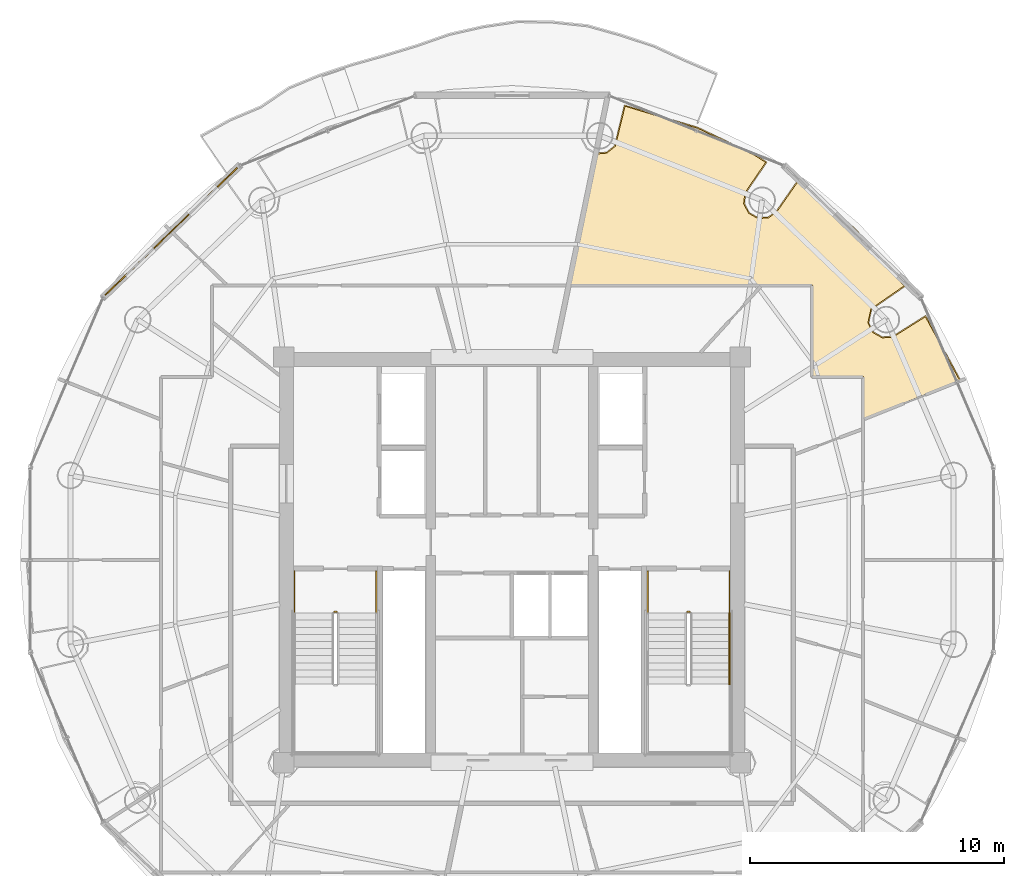
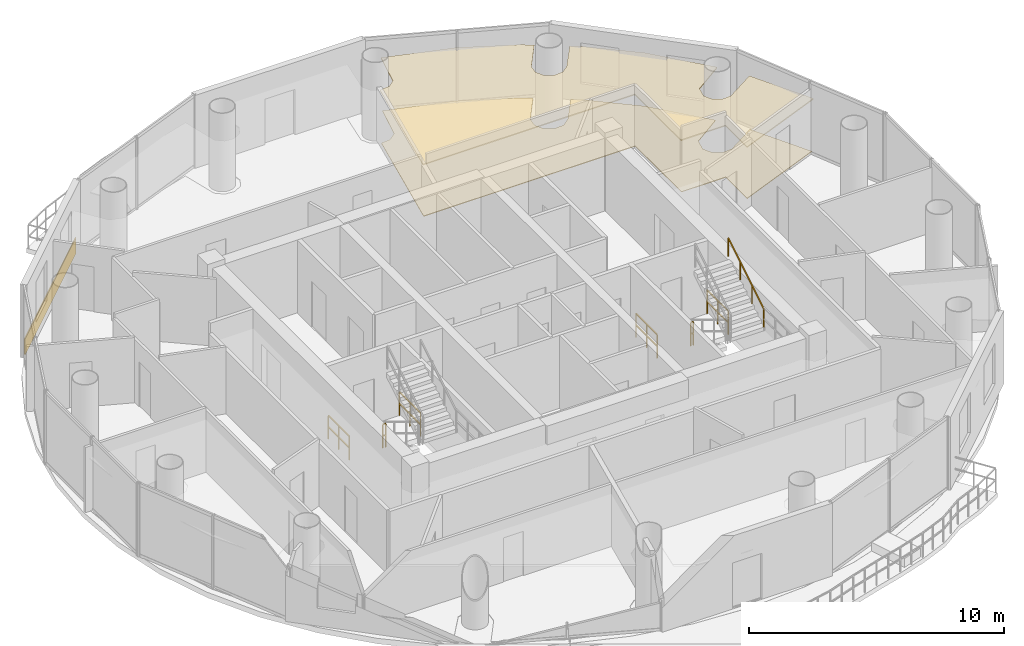
# One storey, part 20 of 21: 7 railings, 3 coverings.
"""IFC4 building model written with IfcOpenShell, lengths in metres."""

from ifc_helpers import new_model, si_unit, direction, frame, origin, origin_2d, place, context, subcontext, project, spatial, polyline, rectangle, outline, extrude, source, transform, mapped, material, layer, layer_set, type_object, element, save


model = new_model("IFC4")

# Units and contexts
model_context = context("Model", 3, precision=1e-05, world=origin(), true_north=direction((-0.2419218956, 0.970295726276)))
body_context = subcontext(model_context, "Body", "Model", "MODEL_VIEW")
ifc_project = project(units=[si_unit("LENGTHUNIT", "METRE"), si_unit("AREAUNIT", "SQUARE_METRE"), si_unit("VOLUMEUNIT", "CUBIC_METRE"), si_unit("PLANEANGLEUNIT", "RADIAN"), si_unit("MASSUNIT", "GRAM", prefix="KILO")], contexts=[model_context])

# Site, building, storey
site_placement = place(None, origin())
site = spatial("IfcSite", under=ifc_project, at=site_placement, CompositionType="ELEMENT")
building_placement = place(site_placement, origin())
building = spatial("IfcBuilding", under=site, at=building_placement, Name="Cobrevalo Terracotta Tower", CompositionType="ELEMENT")
storey_placement = place(building_placement, frame((0.0, 0.0, 285.699951171875)))
storey = spatial("IfcBuildingStorey", under=building, at=storey_placement, Name="L75", CompositionType="ELEMENT", Elevation=285.699951171875)

# Coverings
ifc_material_1 = material(Name="Engineered Brazilian hardwood flooring", Category="wood")
ifc_layer_1 = layer(ifc_material_1, 0.028076171875)
ifc_layer_set_1 = layer_set([ifc_layer_1], Name="Engineered Brazilian hardwood flooring")
covering_type_1 = type_object("IfcCoveringType", Name="Engineered Hardwood Suite Flooring 28", PredefinedType="FLOORING", material=ifc_layer_set_1)
covering_1_placement = place(storey_placement, origin())
element("IfcCovering", 1, at=covering_1_placement, inside=storey, type_object=covering_type_1, Name="Flat L75B Private Cinema Room floor finish", PredefinedType="FLOORING", context=body_context, shape_type="SweptSolid", body=[
    extrude(outline(polyline([(41.321533203125, 42.796630859375), (41.74072265625, 42.83642578125), (42.074951171875, 43.1064453125), (42.45947265625, 44.68603515625), (45.317138671875, 43.817626953125), (47.560302734375, 42.751953125), (47.99853515625, 42.4697265625), (47.18310546875, 41.2724609375), (47.1328125, 40.845703125), (47.328369140625, 40.463134765625), (47.703369140625, 40.25341796875), (48.1318359375, 40.28759765625), (48.46826171875, 40.55322265625), (49.243896484375, 41.668212890625), (49.639892578125, 41.413330078125), (51.52001953125, 39.82470703125), (53.4560546875, 37.599365234375), (52.15087890625, 36.69482421875), (52.0302734375, 36.1416015625), (52.2255859375, 35.7587890625), (52.600830078125, 35.54931640625), (53.029052734375, 35.58349609375), (54.300048828125, 36.382568359375), (55.65380859375, 33.8701171875), (51.85498046875, 32.353271484375), (51.85498046875, 34.030029296875), (49.844970703125, 34.030029296875), (49.844970703125, 37.64501953125), (40.25830078125, 37.64501953125), (41.321533203125, 42.796630859375)])), origin(), (0.0, 0.0, 1.0), 0.030029296875),
])
ifc_material_2 = material(Name="Acoustic perforated gypsum ceiling", Category="gypsum")
ifc_layer_2 = layer(ifc_material_2, 0.050048828125)
ifc_layer_set_2 = layer_set([ifc_layer_2], Name="Acoustic perforated gypsum ceiling")
covering_type_2 = type_object("IfcCoveringType", Name="Perforated Acoustic Gypsum Ceiling 50", PredefinedType="CEILING", material=ifc_layer_set_2)
covering_2_placement = place(storey_placement, frame((0.0, 0.0, 2.5)))
element("IfcCovering", 2, at=covering_2_placement, inside=storey, type_object=covering_type_2, Name="Flat L75B Private Cinema Room acoustic ceiling", PredefinedType="CEILING", context=body_context, shape_type="SweptSolid", body=[
    extrude(outline(polyline([(41.28564453125, 42.845703125), (41.7236328125, 42.87841796875), (42.03759765625, 43.1318359375), (42.424560546875, 44.738525390625), (45.333740234375, 43.859619140625), (47.582275390625, 42.79150390625), (48.062255859375, 42.482421875), (47.224365234375, 41.25439453125), (47.177490234375, 40.853759765625), (47.36083984375, 40.494384765625), (47.713134765625, 40.297607421875), (48.115234375, 40.32958984375), (48.4326171875, 40.580810546875), (49.231689453125, 41.7294921875), (49.66650390625, 41.449462890625), (51.551513671875, 39.857177734375), (53.51953125, 37.586669921875), (52.18798828125, 36.669189453125), (52.07470703125, 36.1494140625), (52.25830078125, 35.790283203125), (52.610595703125, 35.593505859375), (53.0126953125, 35.625732421875), (54.312255859375, 36.44384765625), (55.71630859375, 33.8466796875), (51.81005859375, 32.286865234375), (51.81005859375, 33.985107421875), (49.800048828125, 33.985107421875), (49.800048828125, 37.60009765625), (40.203125, 37.60009765625), (41.28564453125, 42.845703125)])), origin(), (0.0, 0.0, 1.0), 0.050048828125),
])

# Railings
ifc_material_3 = material(Name="Brushed stainless steel", Category="steel")
railing_type_1 = type_object("IfcRailingType", Name="Stainless Steel Stair Handrail 900", PredefinedType="HANDRAIL", material=ifc_material_3)
railing_1_placement = place(storey_placement, frame((46.574951171875, 21.89990234375, 2.04541015625)))
element("IfcRailing", 3, at=railing_1_placement, inside=storey, type_object=railing_type_1, Name="L75 ST-2 stair handrail 2", PredefinedType="HANDRAIL", context=body_context, shape_type="SweptSolid", body=[
    extrude(rectangle(XDim=0.048095703125, YDim=0.048095703125, at=origin_2d()), frame((0.0, 0.0, 0.8759765625), z_axis=(0.0, 0.854169791009, 0.51999420009), x_axis=(-1.0, 0.0, 0.0)), (0.0, 0.0, 1.0), 3.278076171875),
    extrude(rectangle(XDim=0.0419921875, YDim=0.0419921875, at=origin_2d()), origin(), (0.0, 0.0, 1.0), 0.851806640625),
    extrude(rectangle(XDim=0.0419921875, YDim=0.0419921875, at=origin_2d()), frame((0.0, 0.933349609375, 0.568115234375)), (0.0, 0.0, 1.0), 0.851806640625),
    extrude(rectangle(XDim=0.0419921875, YDim=0.0419921875, at=origin_2d()), frame((0.0, 1.86669921875, 1.136474609375)), (0.0, 0.0, 1.0), 0.851806640625),
    extrude(rectangle(XDim=0.0419921875, YDim=0.0419921875, at=origin_2d()), frame((0.0, 2.800048828125, 1.70458984375)), (0.0, 0.0, 1.0), 0.851806640625),
])
ifc_material_4 = material(Name="Painted galvanized steel", Category="steel")
railing_type_2 = type_object("IfcRailingType", Name="Stair Well Guard Balustrade 1150", PredefinedType="GUARDRAIL", material=ifc_material_4)
railing_2_placement = place(storey_placement, frame((30.97509765625, 24.75, 0.0)))
element("IfcRailing", 4, at=railing_2_placement, inside=storey, type_object=railing_type_2, Name="L75 ST-1 stair guard 7", PredefinedType="GUARDRAIL", context=body_context, shape_type="SweptSolid", body=[
    extrude(rectangle(XDim=0.048095703125, YDim=0.048095703125, at=origin_2d()), frame((0.0, 0.0, 1.1259765625), z_axis=(1.0, 0.0, 0.0), x_axis=(0.0, 1.0, 0.0)), (0.0, 0.0, 1.0), 0.119873046875),
    extrude(rectangle(XDim=0.048095703125, YDim=0.048095703125, at=origin_2d()), frame((0.0, 0.0, 0.574951171875), z_axis=(1.0, 0.0, 0.0), x_axis=(0.0, 1.0, 0.0)), (0.0, 0.0, 1.0), 0.119873046875),
    extrude(rectangle(XDim=0.0419921875, YDim=0.0419921875, at=origin_2d()), origin(), (0.0, 0.0, 1.0), 1.101806640625),
    extrude(rectangle(XDim=0.0419921875, YDim=0.0419921875, at=origin_2d()), frame((0.119873046875, 0.0, 0.0)), (0.0, 0.0, 1.0), 1.101806640625),
])
for number, where, name in (
    (5, (29.425048828125, 26.35009765625, 0.0), "L75 ST-1 stair guard 8"),
    (6, (32.64501953125, 26.35009765625, 0.0), "L75 ST-1 stair guard 9"),
):
    element("IfcRailing", number, at=place(storey_placement, frame(where)), inside=storey, type_object=railing_type_2, Name=name, PredefinedType="GUARDRAIL", context=body_context, shape_type="SweptSolid", body=[
        extrude(rectangle(XDim=0.048095703125, YDim=0.048095703125, at=origin_2d()), frame((0.0, 0.0, 1.1259765625), z_axis=(0.0, -1.0, 0.0), x_axis=(1.0, 0.0, 0.0)), (0.0, 0.0, 1.0), 1.650146484375),
        extrude(rectangle(XDim=0.048095703125, YDim=0.048095703125, at=origin_2d()), frame((0.0, 0.0, 0.574951171875), z_axis=(0.0, -1.0, 0.0), x_axis=(1.0, 0.0, 0.0)), (0.0, 0.0, 1.0), 1.650146484375),
        extrude(rectangle(XDim=0.0419921875, YDim=0.0419921875, at=origin_2d()), origin(), (0.0, 0.0, 1.0), 1.101806640625),
        extrude(rectangle(XDim=0.0419921875, YDim=0.0419921875, at=origin_2d()), frame((0.0, -0.8251953125, 0.0)), (0.0, 0.0, 1.0), 1.101806640625),
        extrude(rectangle(XDim=0.0419921875, YDim=0.0419921875, at=origin_2d()), frame((0.0, -1.650146484375, 0.0)), (0.0, 0.0, 1.0), 1.101806640625),
    ])
railing_3_placement = place(storey_placement, frame((44.905029296875, 24.75, 0.0)))
element("IfcRailing", 7, at=railing_3_placement, inside=storey, type_object=railing_type_2, Name="L75 ST-2 stair guard 7", PredefinedType="GUARDRAIL", context=body_context, shape_type="SweptSolid", body=[
    extrude(rectangle(XDim=0.048095703125, YDim=0.048095703125, at=origin_2d()), frame((0.0, 0.0, 1.1259765625), z_axis=(1.0, 0.0, 0.0), x_axis=(0.0, 1.0, 0.0)), (0.0, 0.0, 1.0), 0.119873046875),
    extrude(rectangle(XDim=0.048095703125, YDim=0.048095703125, at=origin_2d()), frame((0.0, 0.0, 0.574951171875), z_axis=(1.0, 0.0, 0.0), x_axis=(0.0, 1.0, 0.0)), (0.0, 0.0, 1.0), 0.119873046875),
    extrude(rectangle(XDim=0.0419921875, YDim=0.0419921875, at=origin_2d()), origin(), (0.0, 0.0, 1.0), 1.101806640625),
    extrude(rectangle(XDim=0.0419921875, YDim=0.0419921875, at=origin_2d()), frame((0.119873046875, 0.0, 0.0)), (0.0, 0.0, 1.0), 1.101806640625),
])
for number, where, name in (
    (8, (43.35498046875, 26.35009765625, 0.0), "L75 ST-2 stair guard 8"),
    (9, (46.574951171875, 26.35009765625, 0.0), "L75 ST-2 stair guard 9"),
):
    element("IfcRailing", number, at=place(storey_placement, frame(where)), inside=storey, type_object=railing_type_2, Name=name, PredefinedType="GUARDRAIL", context=body_context, shape_type="SweptSolid", body=[
        extrude(rectangle(XDim=0.048095703125, YDim=0.048095703125, at=origin_2d()), frame((0.0, 0.0, 1.1259765625), z_axis=(0.0, -1.0, 0.0), x_axis=(1.0, 0.0, 0.0)), (0.0, 0.0, 1.0), 1.650146484375),
        extrude(rectangle(XDim=0.048095703125, YDim=0.048095703125, at=origin_2d()), frame((0.0, 0.0, 0.574951171875), z_axis=(0.0, -1.0, 0.0), x_axis=(1.0, 0.0, 0.0)), (0.0, 0.0, 1.0), 1.650146484375),
        extrude(rectangle(XDim=0.0419921875, YDim=0.0419921875, at=origin_2d()), origin(), (0.0, 0.0, 1.0), 1.101806640625),
        extrude(rectangle(XDim=0.0419921875, YDim=0.0419921875, at=origin_2d()), frame((0.0, -0.8251953125, 0.0)), (0.0, 0.0, 1.0), 1.101806640625),
        extrude(rectangle(XDim=0.0419921875, YDim=0.0419921875, at=origin_2d()), frame((0.0, -1.650146484375, 0.0)), (0.0, 0.0, 1.0), 1.101806640625),
    ])

# Covering
ifc_material_5 = material(Name="Glazed terracotta facade cladding tile", Category="masonry")
ifc_layer_3 = layer(ifc_material_5, 0.044921875)
ifc_layer_set_3 = layer_set([ifc_layer_3], Name="Glazed terracotta facade cladding tile")
covering_type_3 = type_object("IfcCoveringType", Name="Architectural terracotta rainscreen spandrel cladding 45 mm", PredefinedType="CLADDING", material=ifc_layer_set_3)
shared_shape = source(origin(), body_context, "Body", "SweptSolid", [
    extrude(rectangle(XDim=7.222412109375, YDim=0.044921875, at=origin_2d()), origin(), (0.0, 0.0, 1.0), 0.760009765625),
])
covering_3_placement = place(storey_placement, frame((24.56640625, 39.748046875, 0.0400390625), z_axis=(0.0, 0.0, 1.0), x_axis=(-0.719996603293, -0.693977586992, 0.0)))
element("IfcCovering", 10, at=covering_3_placement, inside=storey, type_object=covering_type_3, Name="L75 terracotta spandrel cladding S06", PredefinedType="CLADDING", context=body_context, shape_type="MappedRepresentation", body=[
    mapped(shared_shape, transform((0.0, 0.0, 0.0), scale=1.0)),
])

save(model, "model.ifc")
